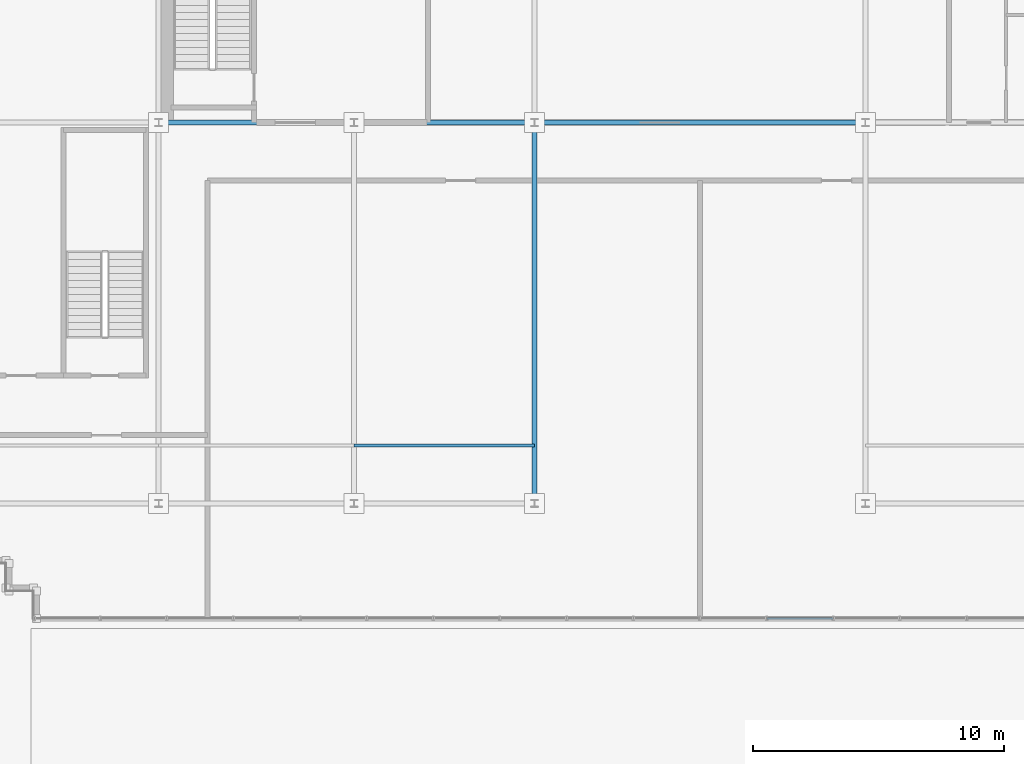
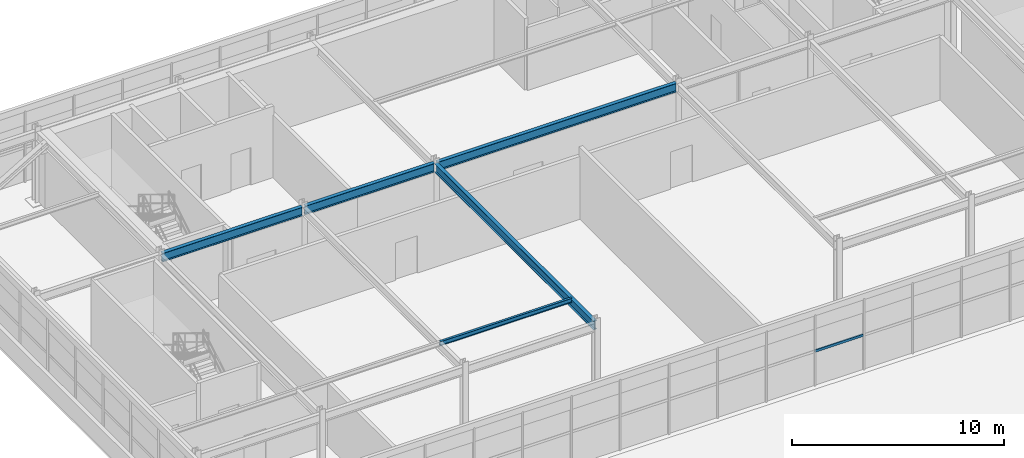
# One storey, part 11 of 38: 4 beams, 2 members, 1 element without a shape of its own.
"""IFC4 building model written with IfcOpenShell, lengths in metres."""

from ifc_helpers import new_model, si_unit, direction, frame, origin, origin_2d, place, context, subcontext, project, spatial, hollow_rectangle, i_section, extrude, source, transform, mapped, material, material_profile, profile_set, type_object, element, aggregate, save


model = new_model("IFC4")

# Units and contexts
model_context = context("Model", 3, precision=1e-05, world=origin(), true_north=direction((0.0, 1.0)))
body_context = subcontext(model_context, "Body", "Model", "MODEL_VIEW")
ifc_project = project(units=[si_unit("LENGTHUNIT", "METRE"), si_unit("AREAUNIT", "SQUARE_METRE"), si_unit("VOLUMEUNIT", "CUBIC_METRE"), si_unit("PLANEANGLEUNIT", "RADIAN"), si_unit("MASSUNIT", "GRAM", prefix="KILO")], contexts=[model_context])

# Site, building, storey
site_placement = place(None, origin())
site = spatial("IfcSite", under=ifc_project, at=site_placement, CompositionType="ELEMENT")
building_placement = place(site_placement, origin())
building = spatial("IfcBuilding", under=site, at=building_placement, Name="Trelvane Seafront Commons", CompositionType="ELEMENT")
storey_placement = place(building_placement, frame((0.0, 0.0, 299.10009765625)))
storey = spatial("IfcBuildingStorey", under=building, at=storey_placement, Name="L78", CompositionType="ELEMENT", Elevation=299.10009765625)

# Beams
ifc_material_1 = material(Name="Steel SM355 (S355)", Category="steel")
ifc_material_profile_1 = material_profile(ifc_material_1, i_section(OverallWidth=0.199951171875, OverallDepth=0.5, WebThickness=0.010009765625, FlangeThickness=0.01611328125, at=origin_2d()), Name="H-500x200x10x16")
ifc_profile_set_1 = profile_set([ifc_material_profile_1], Name="Steel SM355 (S355)")
beam_type_1 = type_object("IfcBeamType", Name="STR-CROWN-FRAME-RING", PredefinedType="SPANDREL", material=ifc_profile_set_1)
shared_shape_1 = source(origin(), body_context, "Body", "SweptSolid", [
    extrude(i_section(OverallWidth=0.199951171875, OverallDepth=0.5, WebThickness=0.010009765625, FlangeThickness=0.01611328125, at=origin_2d()), origin(), (0.0, 0.0, 1.0), 7.64990234375),
])
beam_1_placement = place(storey_placement, frame((15.675048828125, 33.39990234375, 3.869873046875), z_axis=(1.0, 0.0, 0.0), x_axis=(0.0, 1.0, 0.0)))
element("IfcBeam", 1, at=beam_1_placement, inside=storey, type_object=beam_type_1, Name="L78 CROWN FRAME Ring Beam G-09", PredefinedType="SPANDREL", context=body_context, shape_type="MappedRepresentation", body=[
    mapped(shared_shape_1, transform((0.0, 0.0, 0.0), x_axis=(1.0, 0.0, 0.0), y_axis=(0.0, 1.0, 0.0), z_axis=(0.0, 0.0, 1.0), scale=1.0)),
])
shared_shape_2 = source(origin(), body_context, "Body", "SweptSolid", [
    extrude(i_section(OverallWidth=0.199951171875, OverallDepth=0.5, WebThickness=0.010009765625, FlangeThickness=0.01611328125, at=origin_2d()), origin(), (0.0, 0.0, 1.0), 7.0498046875),
])
beam_2_placement = place(storey_placement, frame((23.47509765625, 33.39990234375, 3.869873046875), z_axis=(1.0, 0.0, 0.0), x_axis=(0.0, 1.0, 0.0)))
element("IfcBeam", 2, at=beam_2_placement, inside=storey, type_object=beam_type_1, Name="L78 CROWN FRAME Ring Beam G-10", PredefinedType="SPANDREL", context=body_context, shape_type="MappedRepresentation", body=[
    mapped(shared_shape_2, transform((0.0, 0.0, 0.0), x_axis=(1.0, 0.0, 0.0), y_axis=(0.0, 1.0, 0.0), z_axis=(0.0, 0.0, 1.0), scale=1.0)),
])
shared_shape_3 = source(origin(), body_context, "Body", "SweptSolid", [
    extrude(i_section(OverallWidth=0.199951171875, OverallDepth=0.5, WebThickness=0.010009765625, FlangeThickness=0.01611328125, at=origin_2d()), origin(), (0.0, 0.0, 1.0), 13.050048828125),
])
beam_3_placement = place(storey_placement, frame((30.675048828125, 33.39990234375, 3.869873046875), z_axis=(1.0, 0.0, 0.0), x_axis=(0.0, 1.0, 0.0)))
element("IfcBeam", 3, at=beam_3_placement, inside=storey, type_object=beam_type_1, Name="L78 CROWN FRAME Ring Beam G-11", PredefinedType="SPANDREL", context=body_context, shape_type="MappedRepresentation", body=[
    mapped(shared_shape_3, transform((0.0, 0.0, 0.0), x_axis=(1.0, 0.0, 0.0), y_axis=(0.0, 1.0, 0.0), z_axis=(0.0, 0.0, 1.0), scale=1.0)),
])
ifc_material_profile_2 = material_profile(ifc_material_1, i_section(OverallWidth=0.199951171875, OverallDepth=0.5, WebThickness=0.010009765625, FlangeThickness=0.01611328125, at=origin_2d()), Name="H-500x200x10x16")
ifc_profile_set_2 = profile_set([ifc_material_profile_2], Name="Steel SM355 (S355)")
beam_type_2 = type_object("IfcBeamType", Name="STR-BM-H500", PredefinedType="BEAM", material=ifc_profile_set_2)
shared_shape_4 = source(origin(), body_context, "Body", "SweptSolid", [
    extrude(i_section(OverallWidth=0.199951171875, OverallDepth=0.5, WebThickness=0.010009765625, FlangeThickness=0.01611328125, at=origin_2d()), origin(), (0.0, 0.0, 1.0), 15.050048828125),
])
beam_4_placement = place(storey_placement, frame((30.60009765625, 18.27490234375, 3.869873046875), z_axis=(0.0, 1.0, 0.0), x_axis=(-1.0, 0.0, 0.0)))
element("IfcBeam", 4, at=beam_4_placement, inside=storey, type_object=beam_type_2, Name="L78 Primary Girder G-28", PredefinedType="BEAM", context=body_context, shape_type="MappedRepresentation", body=[
    mapped(shared_shape_4, transform((0.0, 0.0, 0.0), x_axis=(1.0, 0.0, 0.0), y_axis=(0.0, 1.0, 0.0), z_axis=(0.0, 0.0, 1.0), scale=1.0)),
])

# Member
ifc_material_profile_3 = material_profile(ifc_material_1, i_section(OverallWidth=0.125, OverallDepth=0.25, WebThickness=0.006103515625, FlangeThickness=0.009033203125, at=origin_2d()), Name="H-250x125x6x9")
ifc_profile_set_3 = profile_set([ifc_material_profile_3], Name="Steel SM355 (S355)")
member_type_1 = type_object("IfcMemberType", Name="STR-PUR-H250", PredefinedType="PURLIN", material=ifc_profile_set_3)
shared_shape_5 = source(origin(), body_context, "Body", "SweptSolid", [
    extrude(i_section(OverallWidth=0.125, OverallDepth=0.25, WebThickness=0.006103515625, FlangeThickness=0.009033203125, at=origin_2d()), origin(), (0.0, 0.0, 1.0), 7.2001953125),
])
member_1_placement = place(storey_placement, frame((23.39990234375, 20.5, 3.994873046875), z_axis=(1.0, 0.0, 0.0), x_axis=(0.0, 1.0, 0.0)))
element("IfcMember", 5, at=member_1_placement, inside=storey, type_object=member_type_1, Name="L78 Crown Roof Purlin PR-1", PredefinedType="PURLIN", context=body_context, shape_type="MappedRepresentation", body=[
    mapped(shared_shape_5, transform((0.0, 0.0, 0.0), x_axis=(1.0, 0.0, 0.0), y_axis=(0.0, 1.0, 0.0), z_axis=(0.0, 0.0, 1.0), scale=1.0)),
])

# Curtain wall, member
ifc_material_2 = material(Name="Anodised pale-silver aluminium", Category="aluminium")
curtain_wall_type = type_object("IfcCurtainWallType", Name="ARCH-CW6-CROWN", PredefinedType="NOTDEFINED", material=ifc_material_2)
curtain_wall_placement = place(storey_placement, origin())
curtain_wall = element("IfcCurtainWall", 6, at=curtain_wall_placement, inside=storey, type_object=curtain_wall_type, Name="CW-L78-0127", PredefinedType="NOTDEFINED")
ifc_material_profile_4 = material_profile(ifc_material_2, hollow_rectangle(XDim=0.074951171875, YDim=0.139892578125, WallThickness=0.00390625, at=origin_2d()), Name="TRAN-75x140x4")
ifc_profile_set_4 = profile_set([ifc_material_profile_4], Name="Anodised pale-silver aluminium")
member_type_2 = type_object("IfcMemberType", Name="ARCH-CW-TRAN-140", PredefinedType="USERDEFINED", material=ifc_profile_set_4)
shared_shape_6 = source(origin(), body_context, "Body", "SweptSolid", [
    extrude(hollow_rectangle(XDim=0.074951171875, YDim=0.139892578125, WallThickness=0.00390625, at=origin_2d()), origin(), (0.0, 0.0, 1.0), 2.635986328125),
])
member_2_placement = place(storey_placement, frame((42.508056640625, 13.60009765625, 1.977783203125), z_axis=(-1.0, 0.0, 0.0), x_axis=(0.0, -1.0, 0.0)))
member_2 = element("IfcMember", 7, at=member_2_placement, type_object=member_type_2, Name="CW-L78-0127-T08", ObjectType="TRANSOM", PredefinedType="USERDEFINED", context=body_context, shape_type="MappedRepresentation", body=[
    mapped(shared_shape_6, transform((0.0, 0.0, 0.0), x_axis=(1.0, 0.0, 0.0), y_axis=(0.0, 1.0, 0.0), z_axis=(0.0, 0.0, 1.0), scale=1.0)),
])
aggregate(curtain_wall, [member_2])

save(model, "model.ifc")
